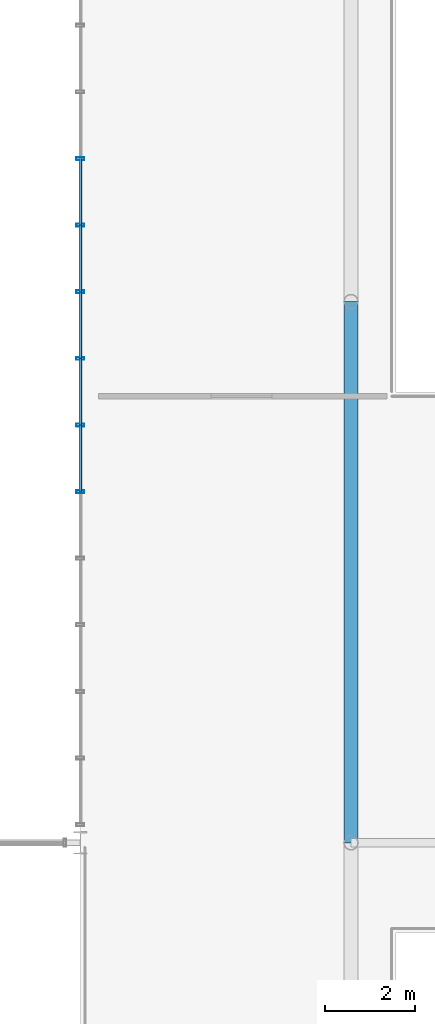
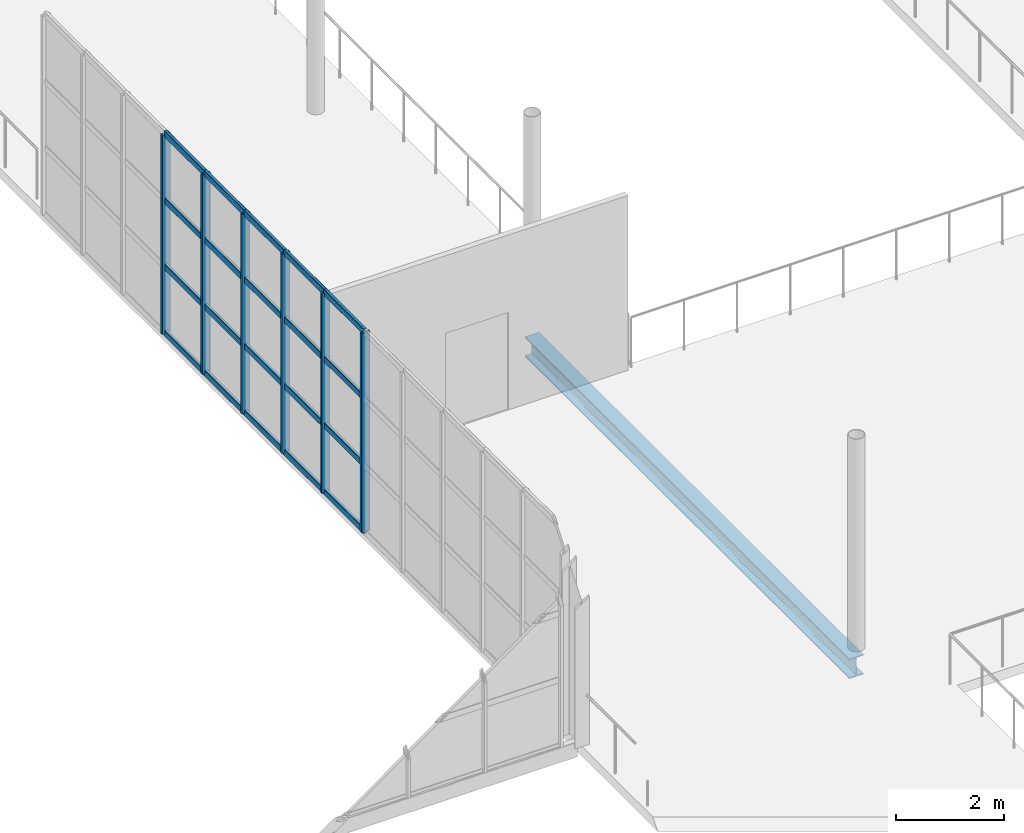
# One storey, part 47 of 143: 26 members, 1 beam, 1 element without a shape of its own.
"""IFC4 building model written with IfcOpenShell, lengths in metres."""

from ifc_helpers import new_model, si_unit, derived_unit, direction, frame, origin, origin_2d, place, context, subcontext, project, spatial, hollow_rectangle, i_section, extrude, material, material_profile, profile_set, type_object, element, aggregate, save


model = new_model("IFC4")

# Units and contexts
model_context = context("Model", 3, precision=1e-05, world=origin(), true_north=direction((0.0, 1.0)))
body_context = subcontext(model_context, "Body", "Model", "MODEL_VIEW")
ifc_project = project(units=[si_unit("LENGTHUNIT", "METRE"), si_unit("AREAUNIT", "SQUARE_METRE"), si_unit("VOLUMEUNIT", "CUBIC_METRE"), si_unit("PLANEANGLEUNIT", "RADIAN"), si_unit("MASSUNIT", "GRAM", prefix="KILO"), derived_unit("THERMALTRANSMITTANCEUNIT", [(si_unit("POWERUNIT", "WATT"), 1), (si_unit("LENGTHUNIT", "METRE"), -2), (si_unit("THERMODYNAMICTEMPERATUREUNIT", "KELVIN"), -1)])], contexts=[model_context])

# Site, building, storey
site_placement = place(None, origin())
site = spatial("IfcSite", under=ifc_project, at=site_placement, CompositionType="ELEMENT")
building_placement = place(site_placement, origin())
building = spatial("IfcBuilding", under=site, at=building_placement, Name="Keldorne Ridge Multi-Sports Centre", CompositionType="ELEMENT")
storey_placement = place(building_placement, frame((0.0, 0.0, 4.800048828125)))
storey = spatial("IfcBuildingStorey", under=building, at=storey_placement, Name="L01", CompositionType="ELEMENT", Elevation=4.800048828125)

# Beam
ifc_material_1 = material(Name="Steel S355", Category="steel")
ifc_material_profile_1 = material_profile(ifc_material_1, i_section(OverallWidth=0.300048828125, OverallDepth=0.449951171875, WebThickness=0.013916015625, FlangeThickness=0.02587890625, FilletRadius=0.027099609375, at=origin_2d()), Name="HEB 450")
ifc_profile_set_1 = profile_set([ifc_material_profile_1], Name="Steel S355")
beam_type = type_object("IfcBeamType", Name="BM-B-11", PredefinedType="BEAM", material=ifc_profile_set_1)
beam_placement = place(storey_placement, frame((84.0, 54.0, -0.445068359375), z_axis=(0.0, 1.0, 0.0), x_axis=(-1.0, 0.0, 0.0)))
element("IfcBeam", 1, at=beam_placement, inside=storey, type_object=beam_type, Name="L01 passage girder G12.7", PredefinedType="BEAM", context=body_context, shape_type="SweptSolid", body=[
    extrude(i_section(OverallWidth=0.300048828125, OverallDepth=0.449951171875, WebThickness=0.013916015625, FlangeThickness=0.02587890625, FilletRadius=0.027099609375, at=origin_2d()), origin(), (0.0, 0.0, 1.0), 12.0),
])

# Curtain wall, members
ifc_material_2 = material(Name="Anodized aluminium", Category="aluminium")
curtain_wall_type = type_object("IfcCurtainWallType", Name="CW-CW-04", PredefinedType="NOTDEFINED", material=ifc_material_2)
curtain_wall_placement = place(storey_placement, origin())
curtain_wall = element("IfcCurtainWall", 2, at=curtain_wall_placement, inside=storey, type_object=curtain_wall_type, Name="Passage west courtyard curtain wall L01 084", PredefinedType="NOTDEFINED")
ifc_material_profile_2 = material_profile(ifc_material_2, hollow_rectangle(XDim=0.06494140625, YDim=0.179931640625, WallThickness=0.00439453125, InnerFilletRadius=0.00439453125, OuterFilletRadius=0.009033203125, at=origin_2d()), Name="ALU MULLION 180x65x4.5")
ifc_profile_set_2 = profile_set([ifc_material_profile_2], Name="Anodized aluminium")
member_type_1 = type_object("IfcMemberType", Name="MEM-ML-01", PredefinedType="MULLION", material=ifc_profile_set_2)
member_1_placement = place(storey_placement, frame((78.0, 69.169189453125, 0.0), z_axis=(0.0, 0.0, 1.0), x_axis=(0.0, 1.0, 0.0)))
member_1 = element("IfcMember", 3, at=member_1_placement, type_object=member_type_1, Name="CW-084 vertical mullion 4", PredefinedType="MULLION", context=body_context, shape_type="SweptSolid", body=[
    extrude(hollow_rectangle(XDim=0.06494140625, YDim=0.179931640625, WallThickness=0.00439453125, InnerFilletRadius=0.00439453125, OuterFilletRadius=0.009033203125, at=origin_2d()), origin(), (0.0, 0.0, 1.0), 4.5),
])
member_2_placement = place(storey_placement, frame((78.0, 67.6923828125, 0.0), z_axis=(0.0, 0.0, 1.0), x_axis=(0.0, 1.0, 0.0)))
member_2 = element("IfcMember", 4, at=member_2_placement, type_object=member_type_1, Name="CW-084 vertical mullion 5", PredefinedType="MULLION", context=body_context, shape_type="SweptSolid", body=[
    extrude(hollow_rectangle(XDim=0.06494140625, YDim=0.179931640625, WallThickness=0.00439453125, InnerFilletRadius=0.00439453125, OuterFilletRadius=0.009033203125, at=origin_2d()), origin(), (0.0, 0.0, 1.0), 4.5),
])
member_3_placement = place(storey_placement, frame((78.0, 66.21533203125, 0.0), z_axis=(0.0, 0.0, 1.0), x_axis=(0.0, 1.0, 0.0)))
member_3 = element("IfcMember", 5, at=member_3_placement, type_object=member_type_1, Name="CW-084 vertical mullion 6", PredefinedType="MULLION", context=body_context, shape_type="SweptSolid", body=[
    extrude(hollow_rectangle(XDim=0.06494140625, YDim=0.179931640625, WallThickness=0.00439453125, InnerFilletRadius=0.00439453125, OuterFilletRadius=0.009033203125, at=origin_2d()), origin(), (0.0, 0.0, 1.0), 4.5),
])
member_4_placement = place(storey_placement, frame((78.0, 64.738525390625, 0.0), z_axis=(0.0, 0.0, 1.0), x_axis=(0.0, 1.0, 0.0)))
member_4 = element("IfcMember", 6, at=member_4_placement, type_object=member_type_1, Name="CW-084 vertical mullion 7", PredefinedType="MULLION", context=body_context, shape_type="SweptSolid", body=[
    extrude(hollow_rectangle(XDim=0.06494140625, YDim=0.179931640625, WallThickness=0.00439453125, InnerFilletRadius=0.00439453125, OuterFilletRadius=0.009033203125, at=origin_2d()), origin(), (0.0, 0.0, 1.0), 4.5),
])
member_5_placement = place(storey_placement, frame((78.0, 63.261474609375, 0.0), z_axis=(0.0, 0.0, 1.0), x_axis=(0.0, 1.0, 0.0)))
member_5 = element("IfcMember", 7, at=member_5_placement, type_object=member_type_1, Name="CW-084 vertical mullion 8", PredefinedType="MULLION", context=body_context, shape_type="SweptSolid", body=[
    extrude(hollow_rectangle(XDim=0.06494140625, YDim=0.179931640625, WallThickness=0.00439453125, InnerFilletRadius=0.00439453125, OuterFilletRadius=0.009033203125, at=origin_2d()), origin(), (0.0, 0.0, 1.0), 4.5),
])
member_6_placement = place(storey_placement, frame((78.0, 61.78466796875, 0.0), z_axis=(0.0, 0.0, 1.0), x_axis=(0.0, 1.0, 0.0)))
member_6 = element("IfcMember", 8, at=member_6_placement, type_object=member_type_1, Name="CW-084 vertical mullion 9", PredefinedType="MULLION", context=body_context, shape_type="SweptSolid", body=[
    extrude(hollow_rectangle(XDim=0.06494140625, YDim=0.179931640625, WallThickness=0.00439453125, InnerFilletRadius=0.00439453125, OuterFilletRadius=0.009033203125, at=origin_2d()), origin(), (0.0, 0.0, 1.0), 4.5),
])
ifc_material_profile_3 = material_profile(ifc_material_2, hollow_rectangle(XDim=0.06494140625, YDim=0.139892578125, WallThickness=0.00439453125, InnerFilletRadius=0.00439453125, OuterFilletRadius=0.009033203125, at=origin_2d()), Name="ALU TRANSOM 140x65x4.5")
ifc_profile_set_3 = profile_set([ifc_material_profile_3], Name="Anodized aluminium")
member_type_2 = type_object("IfcMemberType", Name="MEM-TR-01", PredefinedType="USERDEFINED", material=ifc_profile_set_3)
member_7_placement = place(storey_placement, frame((78.0, 69.169189453125, 0.0), z_axis=(0.0, -1.0, 0.0), x_axis=(1.0, 0.0, 0.0)))
member_7 = element("IfcMember", 9, at=member_7_placement, type_object=member_type_2, Name="CW-084 transom 4.1", ObjectType="TRANSOM", PredefinedType="USERDEFINED", context=body_context, shape_type="SweptSolid", body=[
    extrude(hollow_rectangle(XDim=0.06494140625, YDim=0.139892578125, WallThickness=0.00439453125, InnerFilletRadius=0.00439453125, OuterFilletRadius=0.009033203125, at=origin_2d()), origin(), (0.0, 0.0, 1.0), 1.476806640625),
])
member_8_placement = place(storey_placement, frame((78.0, 69.169189453125, 1.5), z_axis=(0.0, -1.0, 0.0), x_axis=(1.0, 0.0, 0.0)))
member_8 = element("IfcMember", 10, at=member_8_placement, type_object=member_type_2, Name="CW-084 transom 4.2", ObjectType="TRANSOM", PredefinedType="USERDEFINED", context=body_context, shape_type="SweptSolid", body=[
    extrude(hollow_rectangle(XDim=0.06494140625, YDim=0.139892578125, WallThickness=0.00439453125, InnerFilletRadius=0.00439453125, OuterFilletRadius=0.009033203125, at=origin_2d()), origin(), (0.0, 0.0, 1.0), 1.476806640625),
])
member_9_placement = place(storey_placement, frame((78.0, 69.169189453125, 3.0), z_axis=(0.0, -1.0, 0.0), x_axis=(1.0, 0.0, 0.0)))
member_9 = element("IfcMember", 11, at=member_9_placement, type_object=member_type_2, Name="CW-084 transom 4.3", ObjectType="TRANSOM", PredefinedType="USERDEFINED", context=body_context, shape_type="SweptSolid", body=[
    extrude(hollow_rectangle(XDim=0.06494140625, YDim=0.139892578125, WallThickness=0.00439453125, InnerFilletRadius=0.00439453125, OuterFilletRadius=0.009033203125, at=origin_2d()), origin(), (0.0, 0.0, 1.0), 1.476806640625),
])
member_10_placement = place(storey_placement, frame((78.0, 69.169189453125, 4.5), z_axis=(0.0, -1.0, 0.0), x_axis=(1.0, 0.0, 0.0)))
member_10 = element("IfcMember", 12, at=member_10_placement, type_object=member_type_2, Name="CW-084 transom 4.4", ObjectType="TRANSOM", PredefinedType="USERDEFINED", context=body_context, shape_type="SweptSolid", body=[
    extrude(hollow_rectangle(XDim=0.06494140625, YDim=0.139892578125, WallThickness=0.00439453125, InnerFilletRadius=0.00439453125, OuterFilletRadius=0.009033203125, at=origin_2d()), origin(), (0.0, 0.0, 1.0), 1.476806640625),
])
member_11_placement = place(storey_placement, frame((78.0, 67.6923828125, 0.0), z_axis=(0.0, -1.0, 0.0), x_axis=(1.0, 0.0, 0.0)))
member_11 = element("IfcMember", 13, at=member_11_placement, type_object=member_type_2, Name="CW-084 transom 5.1", ObjectType="TRANSOM", PredefinedType="USERDEFINED", context=body_context, shape_type="SweptSolid", body=[
    extrude(hollow_rectangle(XDim=0.06494140625, YDim=0.139892578125, WallThickness=0.00439453125, InnerFilletRadius=0.00439453125, OuterFilletRadius=0.009033203125, at=origin_2d()), origin(), (0.0, 0.0, 1.0), 1.47705078125),
])
member_12_placement = place(storey_placement, frame((78.0, 67.6923828125, 1.5), z_axis=(0.0, -1.0, 0.0), x_axis=(1.0, 0.0, 0.0)))
member_12 = element("IfcMember", 14, at=member_12_placement, type_object=member_type_2, Name="CW-084 transom 5.2", ObjectType="TRANSOM", PredefinedType="USERDEFINED", context=body_context, shape_type="SweptSolid", body=[
    extrude(hollow_rectangle(XDim=0.06494140625, YDim=0.139892578125, WallThickness=0.00439453125, InnerFilletRadius=0.00439453125, OuterFilletRadius=0.009033203125, at=origin_2d()), origin(), (0.0, 0.0, 1.0), 1.47705078125),
])
member_13_placement = place(storey_placement, frame((78.0, 67.6923828125, 3.0), z_axis=(0.0, -1.0, 0.0), x_axis=(1.0, 0.0, 0.0)))
member_13 = element("IfcMember", 15, at=member_13_placement, type_object=member_type_2, Name="CW-084 transom 5.3", ObjectType="TRANSOM", PredefinedType="USERDEFINED", context=body_context, shape_type="SweptSolid", body=[
    extrude(hollow_rectangle(XDim=0.06494140625, YDim=0.139892578125, WallThickness=0.00439453125, InnerFilletRadius=0.00439453125, OuterFilletRadius=0.009033203125, at=origin_2d()), origin(), (0.0, 0.0, 1.0), 1.47705078125),
])
member_14_placement = place(storey_placement, frame((78.0, 67.6923828125, 4.5), z_axis=(0.0, -1.0, 0.0), x_axis=(1.0, 0.0, 0.0)))
member_14 = element("IfcMember", 16, at=member_14_placement, type_object=member_type_2, Name="CW-084 transom 5.4", ObjectType="TRANSOM", PredefinedType="USERDEFINED", context=body_context, shape_type="SweptSolid", body=[
    extrude(hollow_rectangle(XDim=0.06494140625, YDim=0.139892578125, WallThickness=0.00439453125, InnerFilletRadius=0.00439453125, OuterFilletRadius=0.009033203125, at=origin_2d()), origin(), (0.0, 0.0, 1.0), 1.47705078125),
])
member_15_placement = place(storey_placement, frame((78.0, 66.21533203125, 0.0), z_axis=(0.0, -1.0, 0.0), x_axis=(1.0, 0.0, 0.0)))
member_15 = element("IfcMember", 17, at=member_15_placement, type_object=member_type_2, Name="CW-084 transom 6.1", ObjectType="TRANSOM", PredefinedType="USERDEFINED", context=body_context, shape_type="SweptSolid", body=[
    extrude(hollow_rectangle(XDim=0.06494140625, YDim=0.139892578125, WallThickness=0.00439453125, InnerFilletRadius=0.00439453125, OuterFilletRadius=0.009033203125, at=origin_2d()), origin(), (0.0, 0.0, 1.0), 1.476806640625),
])
member_16_placement = place(storey_placement, frame((78.0, 66.21533203125, 1.5), z_axis=(0.0, -1.0, 0.0), x_axis=(1.0, 0.0, 0.0)))
member_16 = element("IfcMember", 18, at=member_16_placement, type_object=member_type_2, Name="CW-084 transom 6.2", ObjectType="TRANSOM", PredefinedType="USERDEFINED", context=body_context, shape_type="SweptSolid", body=[
    extrude(hollow_rectangle(XDim=0.06494140625, YDim=0.139892578125, WallThickness=0.00439453125, InnerFilletRadius=0.00439453125, OuterFilletRadius=0.009033203125, at=origin_2d()), origin(), (0.0, 0.0, 1.0), 1.476806640625),
])
member_17_placement = place(storey_placement, frame((78.0, 66.21533203125, 3.0), z_axis=(0.0, -1.0, 0.0), x_axis=(1.0, 0.0, 0.0)))
member_17 = element("IfcMember", 19, at=member_17_placement, type_object=member_type_2, Name="CW-084 transom 6.3", ObjectType="TRANSOM", PredefinedType="USERDEFINED", context=body_context, shape_type="SweptSolid", body=[
    extrude(hollow_rectangle(XDim=0.06494140625, YDim=0.139892578125, WallThickness=0.00439453125, InnerFilletRadius=0.00439453125, OuterFilletRadius=0.009033203125, at=origin_2d()), origin(), (0.0, 0.0, 1.0), 1.476806640625),
])
member_18_placement = place(storey_placement, frame((78.0, 66.21533203125, 4.5), z_axis=(0.0, -1.0, 0.0), x_axis=(1.0, 0.0, 0.0)))
member_18 = element("IfcMember", 20, at=member_18_placement, type_object=member_type_2, Name="CW-084 transom 6.4", ObjectType="TRANSOM", PredefinedType="USERDEFINED", context=body_context, shape_type="SweptSolid", body=[
    extrude(hollow_rectangle(XDim=0.06494140625, YDim=0.139892578125, WallThickness=0.00439453125, InnerFilletRadius=0.00439453125, OuterFilletRadius=0.009033203125, at=origin_2d()), origin(), (0.0, 0.0, 1.0), 1.476806640625),
])
member_19_placement = place(storey_placement, frame((78.0, 64.738525390625, 0.0), z_axis=(0.0, -1.0, 0.0), x_axis=(1.0, 0.0, 0.0)))
member_19 = element("IfcMember", 21, at=member_19_placement, type_object=member_type_2, Name="CW-084 transom 7.1", ObjectType="TRANSOM", PredefinedType="USERDEFINED", context=body_context, shape_type="SweptSolid", body=[
    extrude(hollow_rectangle(XDim=0.06494140625, YDim=0.139892578125, WallThickness=0.00439453125, InnerFilletRadius=0.00439453125, OuterFilletRadius=0.009033203125, at=origin_2d()), origin(), (0.0, 0.0, 1.0), 1.47705078125),
])
member_20_placement = place(storey_placement, frame((78.0, 64.738525390625, 1.5), z_axis=(0.0, -1.0, 0.0), x_axis=(1.0, 0.0, 0.0)))
member_20 = element("IfcMember", 22, at=member_20_placement, type_object=member_type_2, Name="CW-084 transom 7.2", ObjectType="TRANSOM", PredefinedType="USERDEFINED", context=body_context, shape_type="SweptSolid", body=[
    extrude(hollow_rectangle(XDim=0.06494140625, YDim=0.139892578125, WallThickness=0.00439453125, InnerFilletRadius=0.00439453125, OuterFilletRadius=0.009033203125, at=origin_2d()), origin(), (0.0, 0.0, 1.0), 1.47705078125),
])
member_21_placement = place(storey_placement, frame((78.0, 64.738525390625, 3.0), z_axis=(0.0, -1.0, 0.0), x_axis=(1.0, 0.0, 0.0)))
member_21 = element("IfcMember", 23, at=member_21_placement, type_object=member_type_2, Name="CW-084 transom 7.3", ObjectType="TRANSOM", PredefinedType="USERDEFINED", context=body_context, shape_type="SweptSolid", body=[
    extrude(hollow_rectangle(XDim=0.06494140625, YDim=0.139892578125, WallThickness=0.00439453125, InnerFilletRadius=0.00439453125, OuterFilletRadius=0.009033203125, at=origin_2d()), origin(), (0.0, 0.0, 1.0), 1.47705078125),
])
member_22_placement = place(storey_placement, frame((78.0, 64.738525390625, 4.5), z_axis=(0.0, -1.0, 0.0), x_axis=(1.0, 0.0, 0.0)))
member_22 = element("IfcMember", 24, at=member_22_placement, type_object=member_type_2, Name="CW-084 transom 7.4", ObjectType="TRANSOM", PredefinedType="USERDEFINED", context=body_context, shape_type="SweptSolid", body=[
    extrude(hollow_rectangle(XDim=0.06494140625, YDim=0.139892578125, WallThickness=0.00439453125, InnerFilletRadius=0.00439453125, OuterFilletRadius=0.009033203125, at=origin_2d()), origin(), (0.0, 0.0, 1.0), 1.47705078125),
])
member_23_placement = place(storey_placement, frame((78.0, 63.261474609375, 0.0), z_axis=(0.0, -1.0, 0.0), x_axis=(1.0, 0.0, 0.0)))
member_23 = element("IfcMember", 25, at=member_23_placement, type_object=member_type_2, Name="CW-084 transom 8.1", ObjectType="TRANSOM", PredefinedType="USERDEFINED", context=body_context, shape_type="SweptSolid", body=[
    extrude(hollow_rectangle(XDim=0.06494140625, YDim=0.139892578125, WallThickness=0.00439453125, InnerFilletRadius=0.00439453125, OuterFilletRadius=0.009033203125, at=origin_2d()), origin(), (0.0, 0.0, 1.0), 1.476806640625),
])
member_24_placement = place(storey_placement, frame((78.0, 63.261474609375, 1.5), z_axis=(0.0, -1.0, 0.0), x_axis=(1.0, 0.0, 0.0)))
member_24 = element("IfcMember", 26, at=member_24_placement, type_object=member_type_2, Name="CW-084 transom 8.2", ObjectType="TRANSOM", PredefinedType="USERDEFINED", context=body_context, shape_type="SweptSolid", body=[
    extrude(hollow_rectangle(XDim=0.06494140625, YDim=0.139892578125, WallThickness=0.00439453125, InnerFilletRadius=0.00439453125, OuterFilletRadius=0.009033203125, at=origin_2d()), origin(), (0.0, 0.0, 1.0), 1.476806640625),
])
member_25_placement = place(storey_placement, frame((78.0, 63.261474609375, 3.0), z_axis=(0.0, -1.0, 0.0), x_axis=(1.0, 0.0, 0.0)))
member_25 = element("IfcMember", 27, at=member_25_placement, type_object=member_type_2, Name="CW-084 transom 8.3", ObjectType="TRANSOM", PredefinedType="USERDEFINED", context=body_context, shape_type="SweptSolid", body=[
    extrude(hollow_rectangle(XDim=0.06494140625, YDim=0.139892578125, WallThickness=0.00439453125, InnerFilletRadius=0.00439453125, OuterFilletRadius=0.009033203125, at=origin_2d()), origin(), (0.0, 0.0, 1.0), 1.476806640625),
])
member_26_placement = place(storey_placement, frame((78.0, 63.261474609375, 4.5), z_axis=(0.0, -1.0, 0.0), x_axis=(1.0, 0.0, 0.0)))
member_26 = element("IfcMember", 28, at=member_26_placement, type_object=member_type_2, Name="CW-084 transom 8.4", ObjectType="TRANSOM", PredefinedType="USERDEFINED", context=body_context, shape_type="SweptSolid", body=[
    extrude(hollow_rectangle(XDim=0.06494140625, YDim=0.139892578125, WallThickness=0.00439453125, InnerFilletRadius=0.00439453125, OuterFilletRadius=0.009033203125, at=origin_2d()), origin(), (0.0, 0.0, 1.0), 1.476806640625),
])
aggregate(curtain_wall, [member_1, member_2, member_3, member_4, member_5, member_6, member_7, member_8, member_9, member_10, member_11, member_12, member_13, member_14, member_15, member_16, member_17, member_18, member_19, member_20, member_21, member_22, member_23, member_24, member_25, member_26])

save(model, "model.ifc")
